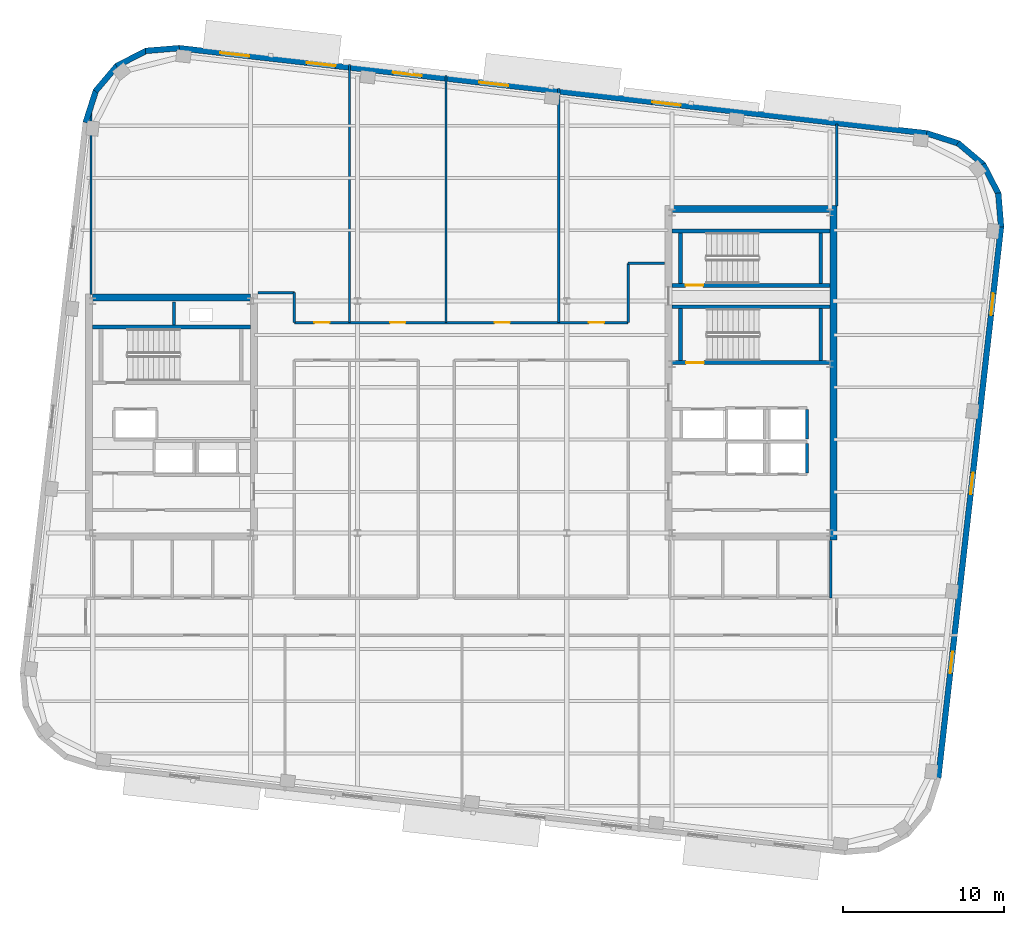
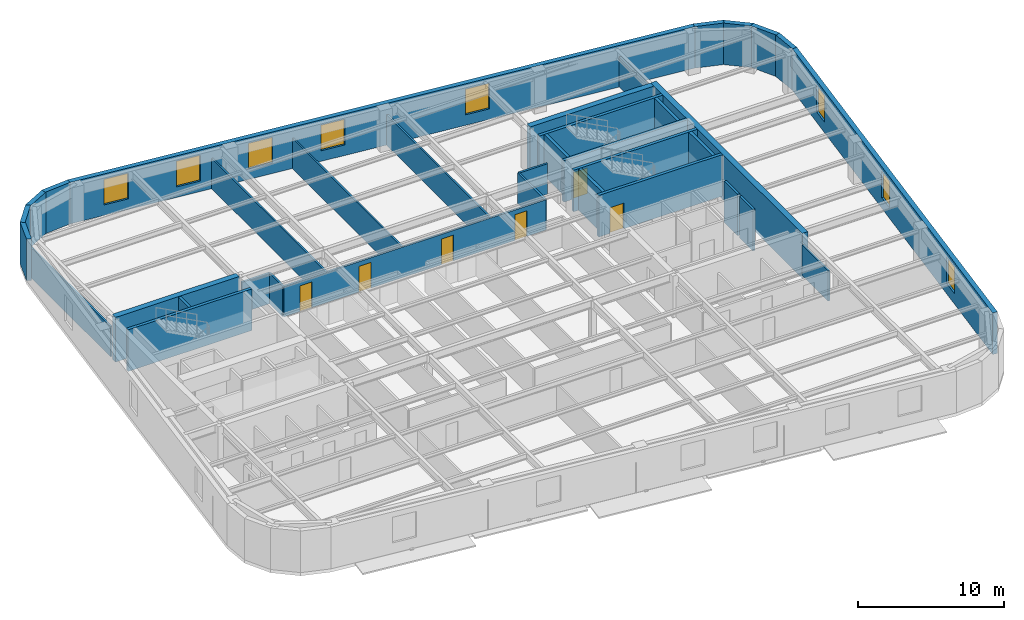
# One storey, part 8 of 13: 36 walls, 8 windows, 6 doors, 14 openings.
"""IFC4 building model written with IfcOpenShell, lengths in metres."""

from ifc_helpers import new_model, si_unit, direction, frame, frame_2d, origin, place, context, subcontext, project, spatial, rectangle, extrude, material, layer, layer_set, type_object, element, fill, save


model = new_model("IFC4")

# Units and contexts
model_context = context("Model", 3, precision=1e-05, world=origin(), true_north=direction((0.0, 1.0)))
body_context = subcontext(model_context, "Body", "Model", "MODEL_VIEW")
ifc_project = project(units=[si_unit("LENGTHUNIT", "METRE"), si_unit("AREAUNIT", "SQUARE_METRE"), si_unit("VOLUMEUNIT", "CUBIC_METRE"), si_unit("PLANEANGLEUNIT", "RADIAN"), si_unit("MASSUNIT", "GRAM", prefix="KILO")], contexts=[model_context])

# Site, building, storey
site_placement = place(None, origin())
site = spatial("IfcSite", under=ifc_project, at=site_placement, CompositionType="ELEMENT")
building_placement = place(site_placement, origin())
building = spatial("IfcBuilding", under=site, at=building_placement, Name="Kolvaren Arena Tower", CompositionType="ELEMENT")
storey_placement = place(building_placement, frame((0.0, 0.0, 228.449951171875)))
storey = spatial("IfcBuildingStorey", under=building, at=storey_placement, Name="L55", CompositionType="ELEMENT", Elevation=228.449951171875)

# Wall, openings, doors
ifc_material_1 = material(Name="Gypsum board acoustic assembly", Category="gypsum")
ifc_layer_1 = layer(ifc_material_1, 0.159912109375)
ifc_layer_set_1 = layer_set([ifc_layer_1], Name="Gypsum board acoustic assembly")
wall_type_1 = type_object("IfcWallType", Name="CORR-160", PredefinedType="PARTITIONING", material=ifc_layer_set_1)
wall_1_placement = place(storey_placement, frame((27.080078125, 32.52001953125, 0.0), z_axis=(0.0, 0.0, 1.0), x_axis=(1.0, 0.0, 0.0)))
wall_1 = element("IfcWall", 1, at=wall_1_placement, inside=storey, type_object=wall_type_1, Name="Interior Partition Wall (L55)", PredefinedType="PARTITIONING", context=body_context, shape_type="SweptSolid", body=[
    extrude(rectangle(XDim=20.739990234375, YDim=0.159912109375, at=frame_2d((10.3701171875, 0.0))), origin(), (0.0, 0.0, 1.0), 2.5400390625),
])
opening_1_placement = place(wall_1_placement, frame((1.2451171875, 0.0, 0.0)))
opening_1 = element("IfcOpeningElement", 2, at=opening_1_placement, cuts=wall_1, Name="Opening D05", PredefinedType="OPENING", context=body_context, shape_type="SweptSolid", body=[
    extrude(rectangle(XDim=0.949951171875, YDim=2.14990234375, at=frame_2d((0.47509765625, 1.074951171875))), frame((0.0, 0.08984375, 0.0), z_axis=(0.0, -1.0, 0.0), x_axis=(1.0, 0.0, 0.0)), (0.0, 0.0, 1.0), 0.179931640625),
])
opening_2_placement = place(wall_1_placement, frame((5.945068359375, 0.0, 0.0)))
opening_2 = element("IfcOpeningElement", 3, at=opening_2_placement, cuts=wall_1, Name="Opening D05", PredefinedType="OPENING", context=body_context, shape_type="SweptSolid", body=[
    extrude(rectangle(XDim=0.949951171875, YDim=2.14990234375, at=frame_2d((0.47509765625, 1.074951171875))), frame((0.0, 0.08984375, 0.0), z_axis=(0.0, -1.0, 0.0), x_axis=(1.0, 0.0, 0.0)), (0.0, 0.0, 1.0), 0.179931640625),
])
opening_3_placement = place(wall_1_placement, frame((12.445068359375, 0.0, 0.0)))
opening_3 = element("IfcOpeningElement", 4, at=opening_3_placement, cuts=wall_1, Name="Opening D05", PredefinedType="OPENING", context=body_context, shape_type="SweptSolid", body=[
    extrude(rectangle(XDim=0.949951171875, YDim=2.14990234375, at=frame_2d((0.47509765625, 1.074951171875))), frame((0.0, 0.08984375, 0.0), z_axis=(0.0, -1.0, 0.0), x_axis=(1.0, 0.0, 0.0)), (0.0, 0.0, 1.0), 0.179931640625),
])
opening_4_placement = place(wall_1_placement, frame((18.294921875, 0.0, 0.0)))
opening_4 = element("IfcOpeningElement", 5, at=opening_4_placement, cuts=wall_1, Name="Opening D05", PredefinedType="OPENING", context=body_context, shape_type="SweptSolid", body=[
    extrude(rectangle(XDim=0.949951171875, YDim=2.14990234375, at=frame_2d((0.47509765625, 1.074951171875))), frame((0.0, 0.08984375, 0.0), z_axis=(0.0, -1.0, 0.0), x_axis=(1.0, 0.0, 0.0)), (0.0, 0.0, 1.0), 0.179931640625),
])
ifc_material_2 = material(Name="Solid-core oak acoustic office door", Category="wood")
door_type_1 = type_object("IfcDoorType", Name="DOOR-OF-095", OperationType="NOTDEFINED", PredefinedType="DOOR", material=ifc_material_2)
door_1_placement = place(opening_1_placement, origin())
door_1 = element("IfcDoor", 6, at=door_1_placement, inside=storey, type_object=door_type_1, Name="Breakout Pantry and Kitchen Door (L55)", OperationType="SINGLE_SWING_LEFT", OverallHeight=2.14990234375, OverallWidth=0.949951171875, PredefinedType="DOOR", context=body_context, shape_type="SweptSolid", body=[
    extrude(rectangle(XDim=0.949951171875, YDim=2.14990234375, at=frame_2d((0.47509765625, 1.074951171875))), frame((0.0, 0.02490234375, 0.0), z_axis=(0.0, -1.0, 0.0), x_axis=(1.0, 0.0, 0.0)), (0.0, 0.0, 1.0), 0.050048828125),
])
fill(opening_1, door_1)
door_2_placement = place(opening_2_placement, origin())
door_2 = element("IfcDoor", 7, at=door_2_placement, inside=storey, type_object=door_type_1, Name="Wellness Room Door (L55)", OperationType="SINGLE_SWING_RIGHT", OverallHeight=2.14990234375, OverallWidth=0.949951171875, PredefinedType="DOOR", context=body_context, shape_type="SweptSolid", body=[
    extrude(rectangle(XDim=0.949951171875, YDim=2.14990234375, at=frame_2d((0.47509765625, 1.074951171875))), frame((0.0, 0.02490234375, 0.0), z_axis=(0.0, -1.0, 0.0), x_axis=(1.0, 0.0, 0.0)), (0.0, 0.0, 1.0), 0.050048828125),
])
fill(opening_2, door_2)
door_3_placement = place(opening_3_placement, origin())
door_3 = element("IfcDoor", 8, at=door_3_placement, inside=storey, type_object=door_type_1, Name="Executive Office Door (L55)", OperationType="SINGLE_SWING_LEFT", OverallHeight=2.14990234375, OverallWidth=0.949951171875, PredefinedType="DOOR", context=body_context, shape_type="SweptSolid", body=[
    extrude(rectangle(XDim=0.949951171875, YDim=2.14990234375, at=frame_2d((0.47509765625, 1.074951171875))), frame((0.0, 0.02490234375, 0.0), z_axis=(0.0, -1.0, 0.0), x_axis=(1.0, 0.0, 0.0)), (0.0, 0.0, 1.0), 0.050048828125),
])
fill(opening_3, door_3)
door_4_placement = place(opening_4_placement, origin())
door_4 = element("IfcDoor", 9, at=door_4_placement, inside=storey, type_object=door_type_1, Name="Meeting Room Door (L55)", OperationType="SINGLE_SWING_RIGHT", OverallHeight=2.14990234375, OverallWidth=0.949951171875, PredefinedType="DOOR", context=body_context, shape_type="SweptSolid", body=[
    extrude(rectangle(XDim=0.949951171875, YDim=2.14990234375, at=frame_2d((0.47509765625, 1.074951171875))), frame((0.0, 0.02490234375, 0.0), z_axis=(0.0, -1.0, 0.0), x_axis=(1.0, 0.0, 0.0)), (0.0, 0.0, 1.0), 0.050048828125),
])
fill(opening_4, door_4)

# Walls
wall_2_placement = place(storey_placement, frame((27.080078125, 32.52001953125, 0.0), z_axis=(0.0, 0.0, 1.0), x_axis=(0.0, 1.0, 0.0)))
element("IfcWall", 10, at=wall_2_placement, inside=storey, type_object=wall_type_1, Name="Interior Partition Wall (L55)", PredefinedType="PARTITIONING", context=body_context, shape_type="SweptSolid", body=[
    extrude(rectangle(XDim=1.85986328125, YDim=0.159912109375, at=frame_2d((0.929931640625, 0.0))), origin(), (0.0, 0.0, 1.0), 2.5400390625),
])
wall_3_placement = place(storey_placement, frame((24.820068359375, 34.3798828125, 0.0), z_axis=(0.0, 0.0, 1.0), x_axis=(1.0, 0.0, 0.0)))
element("IfcWall", 11, at=wall_3_placement, inside=storey, type_object=wall_type_1, Name="Interior Partition Wall (L55)", PredefinedType="PARTITIONING", context=body_context, shape_type="SweptSolid", body=[
    extrude(rectangle(XDim=2.260009765625, YDim=0.159912109375, at=frame_2d((1.1298828125, 0.0))), origin(), (0.0, 0.0, 1.0), 2.5400390625),
])
wall_4_placement = place(storey_placement, frame((47.820068359375, 32.52001953125, 0.0), z_axis=(0.0, 0.0, 1.0), x_axis=(0.0, 1.0, 0.0)))
element("IfcWall", 12, at=wall_4_placement, inside=storey, type_object=wall_type_1, Name="Interior Partition Wall (L55)", PredefinedType="PARTITIONING", context=body_context, shape_type="SweptSolid", body=[
    extrude(rectangle(XDim=3.679931640625, YDim=0.159912109375, at=frame_2d((1.83984375, 0.0))), origin(), (0.0, 0.0, 1.0), 2.5400390625),
])
wall_5_placement = place(storey_placement, frame((47.820068359375, 36.199951171875, 0.0), z_axis=(0.0, 0.0, 1.0), x_axis=(1.0, 0.0, 0.0)))
element("IfcWall", 13, at=wall_5_placement, inside=storey, type_object=wall_type_1, Name="Interior Partition Wall (L55)", PredefinedType="PARTITIONING", context=body_context, shape_type="SweptSolid", body=[
    extrude(rectangle(XDim=2.260009765625, YDim=0.159912109375, at=frame_2d((1.1298828125, 0.0))), origin(), (0.0, 0.0, 1.0), 2.5400390625),
])
ifc_material_3 = material(Name="Concrete 55 MPa", Category="concrete")
ifc_layer_2 = layer(ifc_material_3, 0.449951171875)
ifc_layer_set_2 = layer_set([ifc_layer_2], Name="Concrete 55 MPa")
wall_type_2 = type_object("IfcWallType", Name="CWALL-450", PredefinedType="SHEAR", material=ifc_layer_set_2)
wall_6_placement = place(storey_placement, frame((14.550048828125, 34.074951171875, -0.27001953125), z_axis=(0.0, 0.0, 1.0), x_axis=(1.0, 0.0, 0.0)))
element("IfcWall", 14, at=wall_6_placement, inside=storey, type_object=wall_type_2, Name="Core Shear Wall WC-NORTH (L55)", PredefinedType="SHEAR", context=body_context, shape_type="SweptSolid", body=[
    extrude(rectangle(XDim=9.800048828125, YDim=0.449951171875, at=frame_2d((4.89990234375, 0.0))), origin(), (0.0, 0.0, 1.0), 3.75),
])
wall_7_placement = place(storey_placement, frame((60.574951171875, 19.0, -0.27001953125), z_axis=(0.0, 0.0, 1.0), x_axis=(0.0, 1.0, 0.0)))
element("IfcWall", 15, at=wall_7_placement, inside=storey, type_object=wall_type_2, Name="Core Shear Wall EC-EAST (L55)", PredefinedType="SHEAR", context=body_context, shape_type="SweptSolid", body=[
    extrude(rectangle(XDim=20.800048828125, YDim=0.449951171875, at=frame_2d((10.39990234375, 0.0))), origin(), (0.0, 0.0, 1.0), 3.75),
])
wall_8_placement = place(storey_placement, frame((50.550048828125, 39.574951171875, -0.27001953125), z_axis=(0.0, 0.0, 1.0), x_axis=(1.0, 0.0, 0.0)))
element("IfcWall", 16, at=wall_8_placement, inside=storey, type_object=wall_type_2, Name="Core Shear Wall EC-NORTH (L55)", PredefinedType="SHEAR", context=body_context, shape_type="SweptSolid", body=[
    extrude(rectangle(XDim=9.800048828125, YDim=0.449951171875, at=frame_2d((4.89990234375, 0.0))), origin(), (0.0, 0.0, 1.0), 3.75),
])

# Wall, openings, windows
ifc_material_4 = material(Name="Precast concrete C50/60", Category="concrete")
ifc_layer_3 = layer(ifc_material_4, 0.360107421875)
ifc_layer_set_3 = layer_set([ifc_layer_3], Name="Precast concrete C50/60")
wall_type_3 = type_object("IfcWallType", Name="EXT-PIER2", PredefinedType="SOLIDWALL", material=ifc_layer_set_3)
wall_9_placement = place(storey_placement, frame((70.98876953125, 38.499267578125, 0.0), z_axis=(0.0, 0.0, 1.0), x_axis=(-0.113203107947, -0.993571867733, 0.0)))
wall_9 = element("IfcWall", 17, at=wall_9_placement, inside=storey, type_object=wall_type_3, Name="Exterior Precast Masonry-Frame Wall (L55)", PredefinedType="SOLIDWALL", context=body_context, shape_type="SweptSolid", body=[
    extrude(rectangle(XDim=34.5, YDim=0.360107421875, at=frame_2d((17.25, 0.0))), origin(), (0.0, 0.0, 1.0), 3.47998046875),
])
opening_5_placement = place(wall_9_placement, frame((4.199951171875, 0.0, 0.8798828125)))
opening_5 = element("IfcOpeningElement", 18, at=opening_5_placement, cuts=wall_9, Name="Opening W04", PredefinedType="OPENING", context=body_context, shape_type="SweptSolid", body=[
    extrude(rectangle(XDim=1.35009765625, YDim=2.199951171875, at=frame_2d((0.675048828125, 1.10009765625))), frame((0.0, 0.18994140625, 0.0), z_axis=(0.0, -1.0, 0.0), x_axis=(1.0, 0.0, 0.0)), (0.0, 0.0, 1.0), 0.380126953125),
])
opening_6_placement = place(wall_9_placement, frame((15.39990234375, 0.0, 0.8798828125)))
opening_6 = element("IfcOpeningElement", 19, at=opening_6_placement, cuts=wall_9, Name="Opening W04", PredefinedType="OPENING", context=body_context, shape_type="SweptSolid", body=[
    extrude(rectangle(XDim=1.35009765625, YDim=2.199951171875, at=frame_2d((0.675048828125, 1.10009765625))), frame((0.0, 0.18994140625, 0.0), z_axis=(0.0, -1.0, 0.0), x_axis=(1.0, 0.0, 0.0)), (0.0, 0.0, 1.0), 0.380126953125),
])
opening_7_placement = place(wall_9_placement, frame((26.60009765625, 0.0, 0.8798828125)))
opening_7 = element("IfcOpeningElement", 20, at=opening_7_placement, cuts=wall_9, Name="Opening W04", PredefinedType="OPENING", context=body_context, shape_type="SweptSolid", body=[
    extrude(rectangle(XDim=1.35009765625, YDim=2.199951171875, at=frame_2d((0.675048828125, 1.10009765625))), frame((0.0, 0.18994140625, 0.0), z_axis=(0.0, -1.0, 0.0), x_axis=(1.0, 0.0, 0.0)), (0.0, 0.0, 1.0), 0.380126953125),
])
ifc_material_5 = material(Name="Triple-glazed curved-facet corner window", Category="glass")
window_type_1 = type_object("IfcWindowType", Name="WIN-CRN-A", PartitioningType="SINGLE_PANEL", PredefinedType="WINDOW", material=ifc_material_5)
window_1_placement = place(opening_5_placement, origin())
window_1 = element("IfcWindow", 21, at=window_1_placement, inside=storey, type_object=window_type_1, Name="End-Wall Punched Window (L55)", OverallHeight=2.199951171875, OverallWidth=1.35009765625, PartitioningType="SINGLE_PANEL", PredefinedType="WINDOW", context=body_context, shape_type="SweptSolid", body=[
    extrude(rectangle(XDim=1.35009765625, YDim=2.199951171875, at=frame_2d((0.675048828125, 1.10009765625))), frame((0.0, 0.030029296875, 0.0), z_axis=(0.0, -1.0, 0.0), x_axis=(1.0, 0.0, 0.0)), (0.0, 0.0, 1.0), 0.06005859375),
])
fill(opening_5, window_1)
window_2_placement = place(opening_6_placement, origin())
window_2 = element("IfcWindow", 22, at=window_2_placement, inside=storey, type_object=window_type_1, Name="End-Wall Punched Window (L55)", OverallHeight=2.199951171875, OverallWidth=1.35009765625, PartitioningType="SINGLE_PANEL", PredefinedType="WINDOW", context=body_context, shape_type="SweptSolid", body=[
    extrude(rectangle(XDim=1.35009765625, YDim=2.199951171875, at=frame_2d((0.675048828125, 1.10009765625))), frame((0.0, 0.030029296875, 0.0), z_axis=(0.0, -1.0, 0.0), x_axis=(1.0, 0.0, 0.0)), (0.0, 0.0, 1.0), 0.06005859375),
])
fill(opening_6, window_2)
window_3_placement = place(opening_7_placement, origin())
window_3 = element("IfcWindow", 23, at=window_3_placement, inside=storey, type_object=window_type_1, Name="End-Wall Punched Window (L55)", OverallHeight=2.199951171875, OverallWidth=1.35009765625, PartitioningType="SINGLE_PANEL", PredefinedType="WINDOW", context=body_context, shape_type="SweptSolid", body=[
    extrude(rectangle(XDim=1.35009765625, YDim=2.199951171875, at=frame_2d((0.675048828125, 1.10009765625))), frame((0.0, 0.030029296875, 0.0), z_axis=(0.0, -1.0, 0.0), x_axis=(1.0, 0.0, 0.0)), (0.0, 0.0, 1.0), 0.06005859375),
])
fill(opening_7, window_3)

# Walls
wall_10_placement = place(storey_placement, frame((70.813720703125, 40.563720703125, 0.0), z_axis=(0.0, 0.0, 1.0), x_axis=(0.082853678144, -0.996561723135, 0.0)))
element("IfcWall", 24, at=wall_10_placement, inside=storey, type_object=wall_type_3, Name="Exterior Precast Masonry-Frame Wall (L55)", PredefinedType="SOLIDWALL", context=body_context, shape_type="SweptSolid", body=[
    extrude(rectangle(XDim=2.10693359375, YDim=0.360107421875, at=frame_2d((1.053466796875, 0.0))), origin(), (0.0, 0.0, 1.0), 3.47998046875),
])
for number, where, z_axis, x_axis, name in (
    (25, (69.868408203125, 42.369384765625, 0.0), (0.0, 0.0, 1.0), (0.457887222333, -0.889010287693, 0.0), "Exterior Precast Masonry-Frame Wall (L55)"),
    (26, (68.303955078125, 43.67578125, 0.0), (0.0, 0.0, 1.0), (0.763192878975, -0.646170743289, 0.0), "Exterior Precast Masonry-Frame Wall (L55)"),
    (27, (66.358642578125, 44.283935546875, 0.0), (0.0, 0.0, 1.0), (0.952403965565, -0.304838787518, 0.0), "Exterior Precast Masonry-Frame Wall (L55)"),
):
    element("IfcWall", number, at=place(storey_placement, frame(where, z_axis=z_axis, x_axis=x_axis)), inside=storey, type_object=wall_type_3, Name=name, PredefinedType="SOLIDWALL", context=body_context, shape_type="SweptSolid", body=[
        extrude(rectangle(XDim=2.107177734375, YDim=0.360107421875, at=frame_2d((1.0537109375, 0.0))), origin(), (0.0, 0.0, 1.0), 3.47998046875),
    ])

# Wall, openings, windows
wall_11_placement = place(storey_placement, frame((19.89404296875, 49.57470703125, 0.0), z_axis=(0.0, 0.0, 1.0), x_axis=(0.993571439016, -0.113206870688, 0.0)))
wall_11 = element("IfcWall", 28, at=wall_11_placement, inside=storey, type_object=wall_type_3, Name="Exterior Precast Masonry-Frame Wall (L55)", PredefinedType="SOLIDWALL", context=body_context, shape_type="SweptSolid", body=[
    extrude(rectangle(XDim=46.800048828125, YDim=0.360107421875, at=frame_2d((23.39990234375, 0.0))), origin(), (0.0, 0.0, 1.0), 3.47998046875),
])
opening_8_placement = place(wall_11_placement, frame((2.60009765625, 0.0, 0.8798828125)))
opening_8 = element("IfcOpeningElement", 29, at=opening_8_placement, cuts=wall_11, Name="Opening W02", PredefinedType="OPENING", context=body_context, shape_type="SweptSolid", body=[
    extrude(rectangle(XDim=1.800048828125, YDim=2.14990234375, at=frame_2d((0.89990234375, 1.074951171875))), frame((0.0, 0.18994140625, 0.0), z_axis=(0.0, -1.0, 0.0), x_axis=(1.0, 0.0, 0.0)), (0.0, 0.0, 1.0), 0.380126953125),
])
opening_9_placement = place(wall_11_placement, frame((8.0, 0.0, 0.8798828125)))
opening_9 = element("IfcOpeningElement", 30, at=opening_9_placement, cuts=wall_11, Name="Opening W02", PredefinedType="OPENING", context=body_context, shape_type="SweptSolid", body=[
    extrude(rectangle(XDim=1.800048828125, YDim=2.14990234375, at=frame_2d((0.89990234375, 1.074951171875))), frame((0.0, 0.18994140625, 0.0), z_axis=(0.0, -1.0, 0.0), x_axis=(1.0, 0.0, 0.0)), (0.0, 0.0, 1.0), 0.380126953125),
])
opening_10_placement = place(wall_11_placement, frame((13.39990234375, 0.0, 0.8798828125)))
opening_10 = element("IfcOpeningElement", 31, at=opening_10_placement, cuts=wall_11, Name="Opening W02", PredefinedType="OPENING", context=body_context, shape_type="SweptSolid", body=[
    extrude(rectangle(XDim=1.800048828125, YDim=2.14990234375, at=frame_2d((0.89990234375, 1.074951171875))), frame((0.0, 0.18994140625, 0.0), z_axis=(0.0, -1.0, 0.0), x_axis=(1.0, 0.0, 0.0)), (0.0, 0.0, 1.0), 0.380126953125),
])
opening_11_placement = place(wall_11_placement, frame((18.800048828125, 0.0, 0.8798828125)))
opening_11 = element("IfcOpeningElement", 32, at=opening_11_placement, cuts=wall_11, Name="Opening W02", PredefinedType="OPENING", context=body_context, shape_type="SweptSolid", body=[
    extrude(rectangle(XDim=1.800048828125, YDim=2.14990234375, at=frame_2d((0.89990234375, 1.074951171875))), frame((0.0, 0.18994140625, 0.0), z_axis=(0.0, -1.0, 0.0), x_axis=(1.0, 0.0, 0.0)), (0.0, 0.0, 1.0), 0.380126953125),
])
opening_12_placement = place(wall_11_placement, frame((29.60009765625, 0.0, 0.8798828125)))
opening_12 = element("IfcOpeningElement", 33, at=opening_12_placement, cuts=wall_11, Name="Opening W02", PredefinedType="OPENING", context=body_context, shape_type="SweptSolid", body=[
    extrude(rectangle(XDim=1.800048828125, YDim=2.14990234375, at=frame_2d((0.89990234375, 1.074951171875))), frame((0.0, 0.18994140625, 0.0), z_axis=(0.0, -1.0, 0.0), x_axis=(1.0, 0.0, 0.0)), (0.0, 0.0, 1.0), 0.380126953125),
])
ifc_material_6 = material(Name="Triple-glazed low-E aluminium window", Category="aluminium")
window_type_2 = type_object("IfcWindowType", Name="WIN-OFF-B", PartitioningType="DOUBLE_PANEL_VERTICAL", PredefinedType="WINDOW", material=ifc_material_6)
window_4_placement = place(opening_8_placement, origin())
window_4 = element("IfcWindow", 34, at=window_4_placement, inside=storey, type_object=window_type_2, Name="Punched Precast-Pier Window (L55)", OverallHeight=2.14990234375, OverallWidth=1.800048828125, PartitioningType="DOUBLE_PANEL_VERTICAL", PredefinedType="WINDOW", context=body_context, shape_type="SweptSolid", body=[
    extrude(rectangle(XDim=1.800048828125, YDim=2.14990234375, at=frame_2d((0.89990234375, 1.074951171875))), frame((0.0, 0.030029296875, 0.0), z_axis=(0.0, -1.0, 0.0), x_axis=(1.0, 0.0, 0.0)), (0.0, 0.0, 1.0), 0.06005859375),
])
fill(opening_8, window_4)
window_5_placement = place(opening_9_placement, origin())
window_5 = element("IfcWindow", 35, at=window_5_placement, inside=storey, type_object=window_type_2, Name="Punched Precast-Pier Window (L55)", OverallHeight=2.14990234375, OverallWidth=1.800048828125, PartitioningType="DOUBLE_PANEL_VERTICAL", PredefinedType="WINDOW", context=body_context, shape_type="SweptSolid", body=[
    extrude(rectangle(XDim=1.800048828125, YDim=2.14990234375, at=frame_2d((0.89990234375, 1.074951171875))), frame((0.0, 0.030029296875, 0.0), z_axis=(0.0, -1.0, 0.0), x_axis=(1.0, 0.0, 0.0)), (0.0, 0.0, 1.0), 0.06005859375),
])
fill(opening_9, window_5)
window_6_placement = place(opening_10_placement, origin())
window_6 = element("IfcWindow", 36, at=window_6_placement, inside=storey, type_object=window_type_2, Name="Punched Precast-Pier Window (L55)", OverallHeight=2.14990234375, OverallWidth=1.800048828125, PartitioningType="DOUBLE_PANEL_VERTICAL", PredefinedType="WINDOW", context=body_context, shape_type="SweptSolid", body=[
    extrude(rectangle(XDim=1.800048828125, YDim=2.14990234375, at=frame_2d((0.89990234375, 1.074951171875))), frame((0.0, 0.030029296875, 0.0), z_axis=(0.0, -1.0, 0.0), x_axis=(1.0, 0.0, 0.0)), (0.0, 0.0, 1.0), 0.06005859375),
])
fill(opening_10, window_6)
window_7_placement = place(opening_11_placement, origin())
window_7 = element("IfcWindow", 37, at=window_7_placement, inside=storey, type_object=window_type_2, Name="Punched Precast-Pier Window (L55)", OverallHeight=2.14990234375, OverallWidth=1.800048828125, PartitioningType="DOUBLE_PANEL_VERTICAL", PredefinedType="WINDOW", context=body_context, shape_type="SweptSolid", body=[
    extrude(rectangle(XDim=1.800048828125, YDim=2.14990234375, at=frame_2d((0.89990234375, 1.074951171875))), frame((0.0, 0.030029296875, 0.0), z_axis=(0.0, -1.0, 0.0), x_axis=(1.0, 0.0, 0.0)), (0.0, 0.0, 1.0), 0.06005859375),
])
fill(opening_11, window_7)
window_8_placement = place(opening_12_placement, origin())
window_8 = element("IfcWindow", 38, at=window_8_placement, inside=storey, type_object=window_type_2, Name="Punched Precast-Pier Window (L55)", OverallHeight=2.14990234375, OverallWidth=1.800048828125, PartitioningType="DOUBLE_PANEL_VERTICAL", PredefinedType="WINDOW", context=body_context, shape_type="SweptSolid", body=[
    extrude(rectangle(XDim=1.800048828125, YDim=2.14990234375, at=frame_2d((0.89990234375, 1.074951171875))), frame((0.0, 0.030029296875, 0.0), z_axis=(0.0, -1.0, 0.0), x_axis=(1.0, 0.0, 0.0)), (0.0, 0.0, 1.0), 0.06005859375),
])
fill(opening_12, window_8)

# Walls
for number, where, z_axis, x_axis, name in (
    (39, (17.82958984375, 49.3994140625, 0.0), (0.0, 0.0, 1.0), (0.996562518477, 0.082844111233, 0.0), "Exterior Precast Masonry-Frame Wall (L55)"),
    (40, (16.02392578125, 48.4541015625, 0.0), (0.0, 0.0, 1.0), (0.889010287693, 0.457887222333, 0.0), "Exterior Precast Masonry-Frame Wall (L55)"),
    (41, (14.717529296875, 46.8896484375, 0.0), (0.0, 0.0, 1.0), (0.646170743289, 0.763192878975, 0.0), "Exterior Precast Masonry-Frame Wall (L55)"),
):
    element("IfcWall", number, at=place(storey_placement, frame(where, z_axis=z_axis, x_axis=x_axis)), inside=storey, type_object=wall_type_3, Name=name, PredefinedType="SOLIDWALL", context=body_context, shape_type="SweptSolid", body=[
        extrude(rectangle(XDim=2.107177734375, YDim=0.360107421875, at=frame_2d((1.0537109375, 0.0))), origin(), (0.0, 0.0, 1.0), 3.47998046875),
    ])
wall_12_placement = place(storey_placement, frame((14.109375, 44.944580078125, 0.0), z_axis=(0.0, 0.0, 1.0), x_axis=(0.304872429864, 0.952393196904, 0.0)))
element("IfcWall", 42, at=wall_12_placement, inside=storey, type_object=wall_type_3, Name="Exterior Precast Masonry-Frame Wall (L55)", PredefinedType="SOLIDWALL", context=body_context, shape_type="SweptSolid", body=[
    extrude(rectangle(XDim=2.10693359375, YDim=0.360107421875, at=frame_2d((1.053466796875, 0.0))), origin(), (0.0, 0.0, 1.0), 3.47998046875),
])
ifc_material_7 = material(Name="Gypsum board partition assembly", Category="gypsum")
ifc_layer_4 = layer(ifc_material_7, 0.135009765625)
ifc_layer_set_4 = layer_set([ifc_layer_4], Name="Gypsum board partition assembly")
wall_type_4 = type_object("IfcWallType", Name="PART-135", PredefinedType="PARTITIONING", material=ifc_layer_set_4)
wall_13_placement = place(storey_placement, frame((30.5, 32.52001953125, 0.0), z_axis=(0.0, 0.0, 1.0), x_axis=(0.0, 1.0, 0.0)))
element("IfcWall", 43, at=wall_13_placement, inside=storey, type_object=wall_type_4, Name="Interior Partition Wall (L55)", PredefinedType="PARTITIONING", context=body_context, shape_type="SweptSolid", body=[
    extrude(rectangle(XDim=16.02734375, YDim=0.135009765625, at=frame_2d((8.013671875, 0.0))), origin(), (0.0, 0.0, 1.0), 2.5400390625),
])
wall_14_placement = place(storey_placement, frame((36.5, 32.52001953125, 0.0), z_axis=(0.0, 0.0, 1.0), x_axis=(0.0, 1.0, 0.0)))
element("IfcWall", 44, at=wall_14_placement, inside=storey, type_object=wall_type_4, Name="Interior Partition Wall (L55)", PredefinedType="PARTITIONING", context=body_context, shape_type="SweptSolid", body=[
    extrude(rectangle(XDim=15.34375, YDim=0.135009765625, at=frame_2d((7.671875, 0.0))), origin(), (0.0, 0.0, 1.0), 2.5400390625),
])
wall_15_placement = place(storey_placement, frame((43.5, 32.52001953125, 0.0), z_axis=(0.0, 0.0, 1.0), x_axis=(0.0, 1.0, 0.0)))
element("IfcWall", 45, at=wall_15_placement, inside=storey, type_object=wall_type_4, Name="Interior Partition Wall (L55)", PredefinedType="PARTITIONING", context=body_context, shape_type="SweptSolid", body=[
    extrude(rectangle(XDim=14.546142578125, YDim=0.135009765625, at=frame_2d((7.27294921875, 0.0))), origin(), (0.0, 0.0, 1.0), 2.5400390625),
])
wall_16_placement = place(storey_placement, frame((14.449951171875, 34.25, 0.0), z_axis=(0.0, 0.0, 1.0), x_axis=(0.0, 1.0, 0.0)))
element("IfcWall", 46, at=wall_16_placement, inside=storey, type_object=wall_type_4, Name="Interior Partition Wall (L55)", PredefinedType="PARTITIONING", context=body_context, shape_type="SweptSolid", body=[
    extrude(rectangle(XDim=11.56201171875, YDim=0.135009765625, at=frame_2d((5.781005859375, 0.0))), origin(), (0.0, 0.0, 1.0), 2.5400390625),
])
wall_17_placement = place(storey_placement, frame((60.780029296875, 39.75, 0.0), z_axis=(0.0, 0.0, 1.0), x_axis=(0.0, 1.0, 0.0)))
element("IfcWall", 47, at=wall_17_placement, inside=storey, type_object=wall_type_4, Name="Interior Partition Wall (L55)", PredefinedType="PARTITIONING", context=body_context, shape_type="SweptSolid", body=[
    extrude(rectangle(XDim=5.105712890625, YDim=0.135009765625, at=frame_2d((2.552734375, 0.0))), origin(), (0.0, 0.0, 1.0), 2.5400390625),
])
ifc_material_8 = material(Name="Concrete 45 MPa", Category="concrete")
ifc_layer_5 = layer(ifc_material_8, 0.25)
ifc_layer_set_5 = layer_set([ifc_layer_5], Name="Concrete 45 MPa")
wall_type_5 = type_object("IfcWallType", Name="SHAFT-250", PredefinedType="SOLIDWALL", material=ifc_layer_set_5)
wall_18_placement = place(storey_placement, frame((14.550048828125, 32.25, 0.0), z_axis=(0.0, 0.0, 1.0), x_axis=(1.0, 0.0, 0.0)))
element("IfcWall", 48, at=wall_18_placement, inside=storey, type_object=wall_type_5, Name="Core Shaft Wall (L55)", PredefinedType="SOLIDWALL", context=body_context, shape_type="SweptSolid", body=[
    extrude(rectangle(XDim=9.800048828125, YDim=0.239990234375, at=frame_2d((4.89990234375, 0.0))), origin(), (0.0, 0.0, 1.0), 3.47998046875),
])

# Wall, opening, door
wall_19_placement = place(storey_placement, frame((60.35009765625, 30.030029296875, 0.0), z_axis=(0.0, 0.0, 1.0), x_axis=(-1.0, 0.0, 0.0)))
wall_19 = element("IfcWall", 49, at=wall_19_placement, inside=storey, type_object=wall_type_5, Name="Core Shaft Wall (L55)", PredefinedType="SOLIDWALL", context=body_context, shape_type="SweptSolid", body=[
    extrude(rectangle(XDim=9.800048828125, YDim=0.239990234375, at=frame_2d((4.89990234375, 0.0))), origin(), (0.0, 0.0, 1.0), 3.47998046875),
])
opening_13_placement = place(wall_19_placement, frame((7.830078125, 0.0, 0.0)))
opening_13 = element("IfcOpeningElement", 50, at=opening_13_placement, cuts=wall_19, Name="Opening D03", PredefinedType="OPENING", context=body_context, shape_type="SweptSolid", body=[
    extrude(rectangle(XDim=1.10009765625, YDim=2.14990234375, at=frame_2d((0.550048828125, 1.074951171875))), frame((0.0, 0.1298828125, 0.0), z_axis=(0.0, -1.0, 0.0), x_axis=(1.0, 0.0, 0.0)), (0.0, 0.0, 1.0), 0.260009765625),
])
ifc_material_9 = material(Name="Fire-rated steel exit stair door", Category="steel")
door_type_2 = type_object("IfcDoorType", Name="DOOR-ST-110", OperationType="NOTDEFINED", PredefinedType="DOOR", material=ifc_material_9)
door_5_placement = place(opening_13_placement, origin())
door_5 = element("IfcDoor", 51, at=door_5_placement, inside=storey, type_object=door_type_2, Name="Stair ST-E1 Fire Door (L55)", OperationType="SINGLE_SWING_LEFT", OverallHeight=2.14990234375, OverallWidth=1.10009765625, PredefinedType="DOOR", context=body_context, shape_type="SweptSolid", body=[
    extrude(rectangle(XDim=1.10009765625, YDim=2.14990234375, at=frame_2d((0.550048828125, 1.074951171875))), frame((0.0, 0.02490234375, 0.0), z_axis=(0.0, -1.0, 0.0), x_axis=(1.0, 0.0, 0.0)), (0.0, 0.0, 1.0), 0.050048828125),
])
fill(opening_13, door_5)

# Walls
wall_20_placement = place(storey_placement, frame((50.550048828125, 33.5, 0.0), z_axis=(0.0, 0.0, 1.0), x_axis=(1.0, 0.0, 0.0)))
element("IfcWall", 52, at=wall_20_placement, inside=storey, type_object=wall_type_5, Name="Core Shaft Wall (L55)", PredefinedType="SOLIDWALL", context=body_context, shape_type="SweptSolid", body=[
    extrude(rectangle(XDim=9.800048828125, YDim=0.239990234375, at=frame_2d((4.89990234375, 0.0))), origin(), (0.0, 0.0, 1.0), 3.47998046875),
])
for number, where, z_axis, x_axis, name in (
    (53, (51.06005859375, 30.14990234375, 0.0), (0.0, 0.0, 1.0), (0.0, 1.0, 0.0), "Core Shaft Wall (L55)"),
    (54, (59.780029296875, 30.14990234375, 0.0), (0.0, 0.0, 1.0), (0.0, 1.0, 0.0), "Core Shaft Wall (L55)"),
):
    element("IfcWall", number, at=place(storey_placement, frame(where, z_axis=z_axis, x_axis=x_axis)), inside=storey, type_object=wall_type_5, Name=name, PredefinedType="SOLIDWALL", context=body_context, shape_type="SweptSolid", body=[
        extrude(rectangle(XDim=3.22998046875, YDim=0.239990234375, at=frame_2d((1.614990234375, 0.0))), origin(), (0.0, 0.0, 1.0), 3.47998046875),
    ])

# Wall, opening, door
wall_21_placement = place(storey_placement, frame((60.35009765625, 34.830078125, 0.0), z_axis=(0.0, 0.0, 1.0), x_axis=(-1.0, 0.0, 0.0)))
wall_21 = element("IfcWall", 55, at=wall_21_placement, inside=storey, type_object=wall_type_5, Name="Core Shaft Wall (L55)", PredefinedType="SOLIDWALL", context=body_context, shape_type="SweptSolid", body=[
    extrude(rectangle(XDim=9.800048828125, YDim=0.239990234375, at=frame_2d((4.89990234375, 0.0))), origin(), (0.0, 0.0, 1.0), 3.47998046875),
])
opening_14_placement = place(wall_21_placement, frame((7.8701171875, 0.0, 0.0)))
opening_14 = element("IfcOpeningElement", 56, at=opening_14_placement, cuts=wall_21, Name="Opening D03", PredefinedType="OPENING", context=body_context, shape_type="SweptSolid", body=[
    extrude(rectangle(XDim=1.10009765625, YDim=2.14990234375, at=frame_2d((0.550048828125, 1.074951171875))), frame((0.0, 0.1298828125, 0.0), z_axis=(0.0, -1.0, 0.0), x_axis=(1.0, 0.0, 0.0)), (0.0, 0.0, 1.0), 0.260009765625),
])
door_6_placement = place(opening_14_placement, origin())
door_6 = element("IfcDoor", 57, at=door_6_placement, inside=storey, type_object=door_type_2, Name="Stair ST-E2 Fire Door (L55)", OperationType="SINGLE_SWING_LEFT", OverallHeight=2.14990234375, OverallWidth=1.10009765625, PredefinedType="DOOR", context=body_context, shape_type="SweptSolid", body=[
    extrude(rectangle(XDim=1.10009765625, YDim=2.14990234375, at=frame_2d((0.550048828125, 1.074951171875))), frame((0.0, 0.02490234375, 0.0), z_axis=(0.0, -1.0, 0.0), x_axis=(1.0, 0.0, 0.0)), (0.0, 0.0, 1.0), 0.050048828125),
])
fill(opening_14, door_6)

# Walls
wall_22_placement = place(storey_placement, frame((50.550048828125, 38.219970703125, 0.0), z_axis=(0.0, 0.0, 1.0), x_axis=(1.0, 0.0, 0.0)))
element("IfcWall", 58, at=wall_22_placement, inside=storey, type_object=wall_type_5, Name="Core Shaft Wall (L55)", PredefinedType="SOLIDWALL", context=body_context, shape_type="SweptSolid", body=[
    extrude(rectangle(XDim=9.800048828125, YDim=0.239990234375, at=frame_2d((4.89990234375, 0.0))), origin(), (0.0, 0.0, 1.0), 3.47998046875),
])
for number, where, z_axis, x_axis, name in (
    (59, (51.06005859375, 34.949951171875, 0.0), (0.0, 0.0, 1.0), (0.0, 1.0, 0.0), "Core Shaft Wall (L55)"),
    (60, (59.780029296875, 34.949951171875, 0.0), (0.0, 0.0, 1.0), (0.0, 1.0, 0.0), "Core Shaft Wall (L55)"),
):
    element("IfcWall", number, at=place(storey_placement, frame(where, z_axis=z_axis, x_axis=x_axis)), inside=storey, type_object=wall_type_5, Name=name, PredefinedType="SOLIDWALL", context=body_context, shape_type="SweptSolid", body=[
        extrude(rectangle(XDim=3.150146484375, YDim=0.239990234375, at=frame_2d((1.5751953125, 0.0))), origin(), (0.0, 0.0, 1.0), 3.47998046875),
    ])
wall_23_placement = place(storey_placement, frame((19.60009765625, 32.3701171875, 0.0), z_axis=(0.0, 0.0, 1.0), x_axis=(0.0, 1.0, 0.0)))
element("IfcWall", 61, at=wall_23_placement, inside=storey, type_object=wall_type_5, Name="Core Shaft Wall (L55)", PredefinedType="SOLIDWALL", context=body_context, shape_type="SweptSolid", body=[
    extrude(rectangle(XDim=1.429931640625, YDim=0.199951171875, at=frame_2d((0.71484375, 0.0))), origin(), (0.0, 0.0, 1.0), 3.47998046875),
])
wall_24_placement = place(storey_placement, frame((58.93994140625, 23.18505859375, 0.0), z_axis=(0.0, 0.0, 1.0), x_axis=(0.0, 1.0, 0.0)))
element("IfcWall", 62, at=wall_24_placement, inside=storey, type_object=wall_type_5, Name="Core Shaft Wall (L55)", PredefinedType="SOLIDWALL", context=body_context, shape_type="SweptSolid", body=[
    extrude(rectangle(XDim=1.829833984375, YDim=0.179931640625, at=frame_2d((0.9150390625, 0.0))), origin(), (0.0, 0.0, 1.0), 3.47998046875),
])
wall_25_placement = place(storey_placement, frame((58.93994140625, 25.284912109375, 0.0), z_axis=(0.0, 0.0, 1.0), x_axis=(0.0, 1.0, 0.0)))
element("IfcWall", 63, at=wall_25_placement, inside=storey, type_object=wall_type_5, Name="Core Shaft Wall (L55)", PredefinedType="SOLIDWALL", context=body_context, shape_type="SweptSolid", body=[
    extrude(rectangle(XDim=1.830078125, YDim=0.179931640625, at=frame_2d((0.9150390625, 0.0))), origin(), (0.0, 0.0, 1.0), 3.47998046875),
])
ifc_material_10 = material(Name="Moisture-resistant gypsum assembly", Category="gypsum")
ifc_layer_6 = layer(ifc_material_10, 0.14990234375)
ifc_layer_set_6 = layer_set([ifc_layer_6], Name="Moisture-resistant gypsum assembly")
wall_type_6 = type_object("IfcWallType", Name="WETW-150", PredefinedType="PARTITIONING", material=ifc_layer_set_6)
wall_26_placement = place(storey_placement, frame((60.39990234375, 15.39990234375, 0.0), z_axis=(0.0, 0.0, 1.0), x_axis=(0.0, 1.0, 0.0)))
element("IfcWall", 64, at=wall_26_placement, inside=storey, type_object=wall_type_6, Name="Interior Partition Wall (L55)", PredefinedType="PARTITIONING", context=body_context, shape_type="SweptSolid", body=[
    extrude(rectangle(XDim=3.580078125, YDim=0.14990234375, at=frame_2d((1.7900390625, 0.0))), origin(), (0.0, 0.0, 1.0), 2.5400390625),
])

save(model, "model.ifc")
